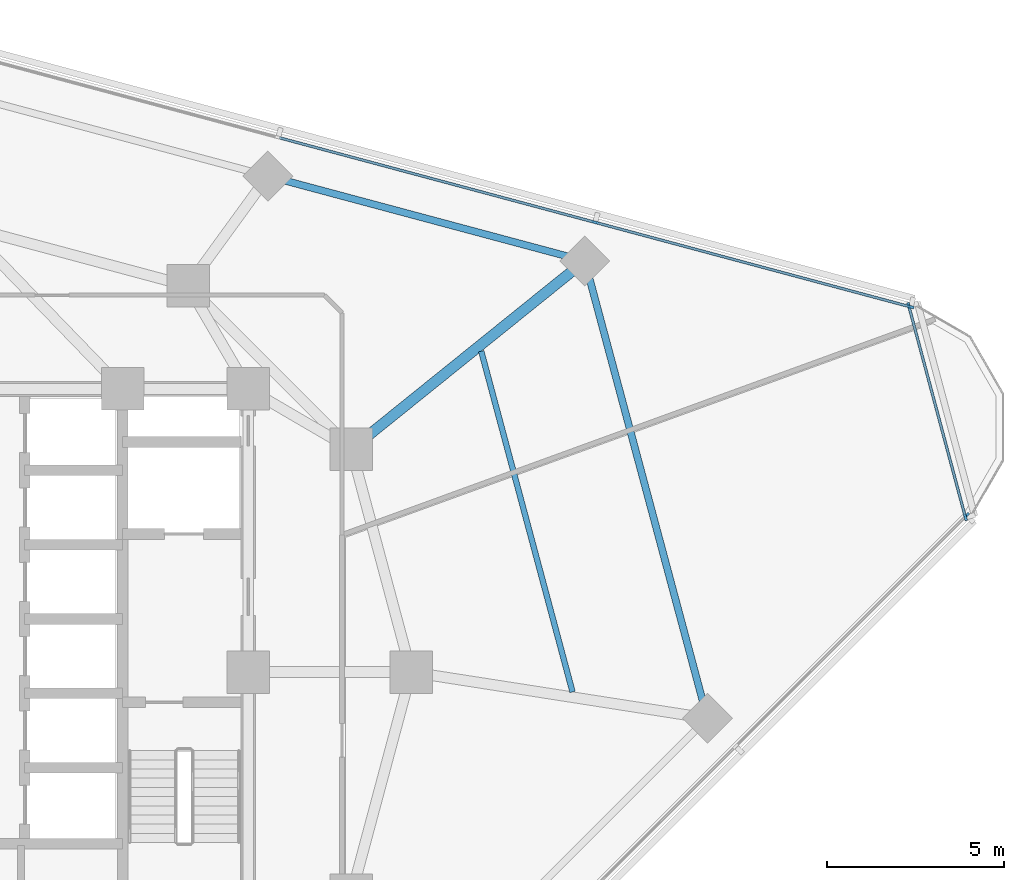
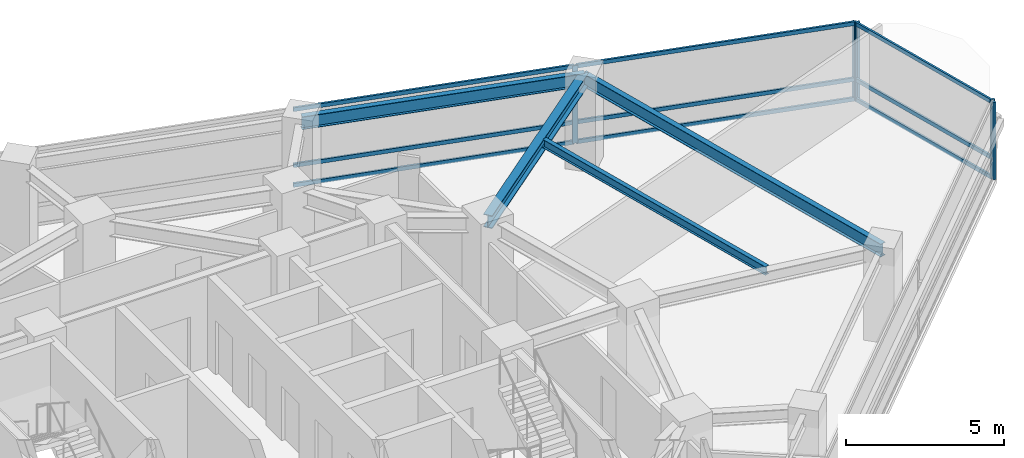
# One storey, part 5 of 13: 14 members, 4 beams, 3 elements without a shape of their own.
"""IFC4 building model written with IfcOpenShell, lengths in metres."""

from ifc_helpers import new_model, si_unit, direction, frame, origin, origin_2d, place, context, subcontext, project, spatial, rectangle, i_section, extrude, material, layer, layer_set, material_profile, profile_set, type_object, element, aggregate, save


model = new_model("IFC4")

# Units and contexts
model_context = context("Model", 3, precision=1e-05, world=origin(), true_north=direction((0.0, 1.0)))
body_context = subcontext(model_context, "Body", "Model", "MODEL_VIEW")
ifc_project = project(units=[si_unit("LENGTHUNIT", "METRE"), si_unit("AREAUNIT", "SQUARE_METRE"), si_unit("VOLUMEUNIT", "CUBIC_METRE"), si_unit("PLANEANGLEUNIT", "RADIAN"), si_unit("MASSUNIT", "GRAM", prefix="KILO")], contexts=[model_context])

# Site, building, storey
site_placement = place(None, origin())
site = spatial("IfcSite", under=ifc_project, at=site_placement, CompositionType="ELEMENT")
building_placement = place(site_placement, origin())
building = spatial("IfcBuilding", under=site, at=building_placement, Name="Terralouvre Media Tower", CompositionType="ELEMENT")
storey_placement = place(building_placement, frame((0.0, 0.0, 199.0)))
storey = spatial("IfcBuildingStorey", under=building, at=storey_placement, Name="L51", CompositionType="ELEMENT", Elevation=199.0)

# Beam
ifc_material_1 = material(Name="Structural steel S355J2", Category="steel")
ifc_material_profile_1 = material_profile(ifc_material_1, i_section(OverallWidth=0.159912109375, OverallDepth=0.330078125, WebThickness=0.007568359375, FlangeThickness=0.011474609375, at=origin_2d()), Name="IPE 330")
ifc_profile_set_1 = profile_set([ifc_material_profile_1], Name="Structural steel S355J2")
beam_type_1 = type_object("IfcBeamType", Name="Composite Floor Joist J-IPE330 (IPE 330)", PredefinedType="JOIST", material=ifc_profile_set_1)
beam_1_placement = place(storey_placement, frame((17.16357421875, -0.56103515625, 3.3349609375), z_axis=(-0.258827084055, 0.965923672222, 0.0), x_axis=(-0.965923672222, -0.258827084055, 0.0)))
element("IfcBeam", 1, at=beam_1_placement, inside=storey, type_object=beam_type_1, Name="L51 Framing Beam JT-L51-03", PredefinedType="JOIST", context=body_context, shape_type="SweptSolid", body=[
    extrude(i_section(OverallWidth=0.159912109375, OverallDepth=0.330078125, WebThickness=0.007568359375, FlangeThickness=0.011474609375, at=origin_2d()), origin(), (0.0, 0.0, 1.0), 9.96826171875),
])

# Curtain wall, members
ifc_material_2 = material(Name="Low-iron laminated double glazing with solar-control coating", Category="glass")
ifc_layer_1 = layer(ifc_material_2, 0.1650390625, Name="Production Studio Tower Curtain Wall CW-03")
ifc_layer_set_1 = layer_set([ifc_layer_1], Name="Low-iron laminated double glazing with solar-control coating")
curtain_wall_type_1 = type_object("IfcCurtainWallType", Name="Production Studio Tower Curtain Wall CW-03", PredefinedType="NOTDEFINED", material=ifc_layer_set_1)
curtain_wall_1_placement = place(storey_placement, origin())
curtain_wall_1 = element("IfcCurtainWall", 2, at=curtain_wall_1_placement, inside=storey, type_object=curtain_wall_type_1, Name="L51 Facade Curtain Wall F1", PredefinedType="NOTDEFINED")
ifc_material_3 = material(Name="Anodised extruded aluminium 6063-T6", Category="aluminium")
ifc_material_profile_2 = material_profile(ifc_material_3, rectangle(XDim=0.074951171875, YDim=0.14990234375, at=origin_2d()), Name="ALU 75x150")
ifc_profile_set_2 = profile_set([ifc_material_profile_2], Name="Anodised extruded aluminium 6063-T6")
member_type_1 = type_object("IfcMemberType", Name="Curtain-Wall Horizontal Transom TR-150", PredefinedType="USERDEFINED", material=ifc_profile_set_2)
member_1_placement = place(storey_placement, frame((26.687255859375, 10.32763671875, 0.03759765625), z_axis=(-0.965927230856, 0.25881380313, 0.0), x_axis=(-0.25881380313, -0.965927230856, 0.0)))
member_1 = element("IfcMember", 3, at=member_1_placement, type_object=member_type_1, Name="CW-03 transom 1.1", ObjectType="TRANSOM", PredefinedType="USERDEFINED", context=body_context, shape_type="SweptSolid", body=[
    extrude(rectangle(XDim=0.074951171875, YDim=0.14990234375, at=origin_2d()), origin(), (0.0, 0.0, 1.0), 9.159423828125),
])
member_2_placement = place(storey_placement, frame((26.687255859375, 10.32763671875, 0.800048828125), z_axis=(-0.965927230856, 0.25881380313, 0.0), x_axis=(-0.25881380313, -0.965927230856, 0.0)))
member_2 = element("IfcMember", 4, at=member_2_placement, type_object=member_type_1, Name="CW-03 transom 1.2", ObjectType="TRANSOM", PredefinedType="USERDEFINED", context=body_context, shape_type="SweptSolid", body=[
    extrude(rectangle(XDim=0.074951171875, YDim=0.14990234375, at=origin_2d()), origin(), (0.0, 0.0, 1.0), 9.159423828125),
])
member_3_placement = place(storey_placement, frame((26.687255859375, 10.32763671875, 2.96240234375), z_axis=(-0.965927230856, 0.25881380313, 0.0), x_axis=(-0.25881380313, -0.965927230856, 0.0)))
member_3 = element("IfcMember", 5, at=member_3_placement, type_object=member_type_1, Name="CW-03 transom 1.3", ObjectType="TRANSOM", PredefinedType="USERDEFINED", context=body_context, shape_type="SweptSolid", body=[
    extrude(rectangle(XDim=0.074951171875, YDim=0.14990234375, at=origin_2d()), origin(), (0.0, 0.0, 1.0), 9.159423828125),
])
member_4_placement = place(storey_placement, frame((17.767578125, 12.7177734375, 0.03759765625), z_axis=(-0.965926723605, 0.25881569625, 0.0), x_axis=(-0.25881569625, -0.965926723605, 0.0)))
member_4 = element("IfcMember", 6, at=member_4_placement, type_object=member_type_1, Name="CW-03 transom 2.1", ObjectType="TRANSOM", PredefinedType="USERDEFINED", context=body_context, shape_type="SweptSolid", body=[
    extrude(rectangle(XDim=0.074951171875, YDim=0.14990234375, at=origin_2d()), origin(), (0.0, 0.0, 1.0), 9.197265625),
])
member_5_placement = place(storey_placement, frame((17.767578125, 12.7177734375, 0.800048828125), z_axis=(-0.965926723605, 0.25881569625, 0.0), x_axis=(-0.25881569625, -0.965926723605, 0.0)))
member_5 = element("IfcMember", 7, at=member_5_placement, type_object=member_type_1, Name="CW-03 transom 2.2", ObjectType="TRANSOM", PredefinedType="USERDEFINED", context=body_context, shape_type="SweptSolid", body=[
    extrude(rectangle(XDim=0.074951171875, YDim=0.14990234375, at=origin_2d()), origin(), (0.0, 0.0, 1.0), 9.197265625),
])
member_6_placement = place(storey_placement, frame((17.767578125, 12.7177734375, 2.96240234375), z_axis=(-0.965926723605, 0.25881569625, 0.0), x_axis=(-0.25881569625, -0.965926723605, 0.0)))
member_6 = element("IfcMember", 8, at=member_6_placement, type_object=member_type_1, Name="CW-03 transom 2.3", ObjectType="TRANSOM", PredefinedType="USERDEFINED", context=body_context, shape_type="SweptSolid", body=[
    extrude(rectangle(XDim=0.074951171875, YDim=0.14990234375, at=origin_2d()), origin(), (0.0, 0.0, 1.0), 9.197265625),
])

ifc_material_4 = material(Name="Low-iron laminated double glazing with solar-control coating", Category="glass")
ifc_layer_2 = layer(ifc_material_4, 0.1650390625, Name="Rounded Wind-Corner Curved Glazing CW-04")
ifc_layer_set_2 = layer_set([ifc_layer_2], Name="Low-iron laminated double glazing with solar-control coating")
curtain_wall_type_2 = type_object("IfcCurtainWallType", Name="Rounded Wind-Corner Curved Glazing CW-04", PredefinedType="NOTDEFINED", material=ifc_layer_set_2)
curtain_wall_2_placement = place(storey_placement, origin())
curtain_wall_2 = element("IfcCurtainWall", 9, at=curtain_wall_2_placement, inside=storey, type_object=curtain_wall_type_2, Name="L51 Rounded Wind-Corner Curtain Wall C1", PredefinedType="NOTDEFINED")
member_7_placement = place(storey_placement, frame((28.259033203125, 4.404052734375, 0.03759765625), z_axis=(-0.25882448687, 0.965924368155, 0.0), x_axis=(-0.965924368155, -0.25882448687, 0.0)))
member_7 = element("IfcMember", 10, at=member_7_placement, type_object=member_type_1, Name="CW-04 transom 1.1", ObjectType="TRANSOM", PredefinedType="USERDEFINED", context=body_context, shape_type="SweptSolid", body=[
    extrude(rectangle(XDim=0.074951171875, YDim=0.14990234375, at=origin_2d()), origin(), (0.0, 0.0, 1.0), 6.119873046875),
])
member_8_placement = place(storey_placement, frame((28.259033203125, 4.404052734375, 0.800048828125), z_axis=(-0.25882448687, 0.965924368155, 0.0), x_axis=(-0.965924368155, -0.25882448687, 0.0)))
member_8 = element("IfcMember", 11, at=member_8_placement, type_object=member_type_1, Name="CW-04 transom 1.2", ObjectType="TRANSOM", PredefinedType="USERDEFINED", context=body_context, shape_type="SweptSolid", body=[
    extrude(rectangle(XDim=0.074951171875, YDim=0.14990234375, at=origin_2d()), origin(), (0.0, 0.0, 1.0), 6.119873046875),
])
member_9_placement = place(storey_placement, frame((28.259033203125, 4.404052734375, 2.96240234375), z_axis=(-0.25882448687, 0.965924368155, 0.0), x_axis=(-0.965924368155, -0.25882448687, 0.0)))
member_9 = element("IfcMember", 12, at=member_9_placement, type_object=member_type_1, Name="CW-04 transom 1.3", ObjectType="TRANSOM", PredefinedType="USERDEFINED", context=body_context, shape_type="SweptSolid", body=[
    extrude(rectangle(XDim=0.074951171875, YDim=0.14990234375, at=origin_2d()), origin(), (0.0, 0.0, 1.0), 6.119873046875),
])

# Curtain wall, member
curtain_wall_3_placement = place(storey_placement, origin())
curtain_wall_3 = element("IfcCurtainWall", 13, at=curtain_wall_3_placement, inside=storey, type_object=curtain_wall_type_1, Name="L51 Facade Curtain Wall F0", PredefinedType="NOTDEFINED")
ifc_material_5 = material(Name="Anodised extruded aluminium 6063-T6", Category="aluminium")
ifc_material_profile_3 = material_profile(ifc_material_5, rectangle(XDim=0.074951171875, YDim=0.179931640625, at=origin_2d()), Name="ALU 75x180")
ifc_profile_set_3 = profile_set([ifc_material_profile_3], Name="Anodised extruded aluminium 6063-T6")
member_type_2 = type_object("IfcMemberType", Name="Curtain-Wall Vertical Mullion ML-180", PredefinedType="MULLION", material=ifc_profile_set_3)
member_10_placement = place(storey_placement, frame((28.30224609375, 4.42626953125, 0.0), z_axis=(0.0, 0.0, 1.0), x_axis=(-0.707106781187, 0.707106781187, 0.0)))
member_10 = element("IfcMember", 14, at=member_10_placement, type_object=member_type_2, Name="CW-03 mullion 6", PredefinedType="MULLION", context=body_context, shape_type="SweptSolid", body=[
    extrude(rectangle(XDim=0.074951171875, YDim=0.179931640625, at=origin_2d()), origin(), (0.0, 0.0, 1.0), 3.0),
])
aggregate(curtain_wall_3, [member_10])

# Member
member_11_placement = place(storey_placement, frame((26.7236328125, 10.31787109375, 0.0), z_axis=(0.0, 0.0, 1.0), x_axis=(-0.25881903342, -0.96592582942, 0.0)))
member_11 = element("IfcMember", 15, at=member_11_placement, type_object=member_type_2, Name="CW-03 mullion 1", PredefinedType="MULLION", context=body_context, shape_type="SweptSolid", body=[
    extrude(rectangle(XDim=0.074951171875, YDim=0.179931640625, at=origin_2d()), origin(), (0.0, 0.0, 1.0), 3.0),
])

member_12_placement = place(storey_placement, frame((17.8037109375, 12.7080078125, 0.0), z_axis=(0.0, 0.0, 1.0), x_axis=(-0.25881903342, -0.96592582942, 0.0)))
member_12 = element("IfcMember", 16, at=member_12_placement, type_object=member_type_2, Name="CW-03 mullion 2", PredefinedType="MULLION", context=body_context, shape_type="SweptSolid", body=[
    extrude(rectangle(XDim=0.074951171875, YDim=0.179931640625, at=origin_2d()), origin(), (0.0, 0.0, 1.0), 3.0),
])

aggregate(curtain_wall_1, [member_11, member_12, member_1, member_2, member_3, member_4, member_5, member_6])

member_13_placement = place(storey_placement, frame((28.268798828125, 4.367919921875, 0.0), z_axis=(0.0, 0.0, 1.0), x_axis=(-0.965925911218, -0.258818728144, 0.0)))
member_13 = element("IfcMember", 17, at=member_13_placement, type_object=member_type_2, Name="CW-04 mullion 1", PredefinedType="MULLION", context=body_context, shape_type="SweptSolid", body=[
    extrude(rectangle(XDim=0.074951171875, YDim=0.179931640625, at=origin_2d()), origin(), (0.0, 0.0, 1.0), 3.0),
])

member_14_placement = place(storey_placement, frame((26.665283203125, 10.351806640625, 0.0), z_axis=(0.0, 0.0, 1.0), x_axis=(-0.965925911218, -0.258818728144, 0.0)))
member_14 = element("IfcMember", 18, at=member_14_placement, type_object=member_type_2, Name="CW-04 mullion 2", PredefinedType="MULLION", context=body_context, shape_type="SweptSolid", body=[
    extrude(rectangle(XDim=0.074951171875, YDim=0.179931640625, at=origin_2d()), origin(), (0.0, 0.0, 1.0), 3.0),
])

aggregate(curtain_wall_2, [member_13, member_14, member_7, member_8, member_9])

# Beams
ifc_material_6 = material(Name="Structural steel S355J2", Category="steel")
ifc_material_profile_4 = material_profile(ifc_material_6, i_section(OverallWidth=0.199951171875, OverallDepth=0.5, WebThickness=0.01025390625, FlangeThickness=0.01611328125, at=origin_2d()), Name="IPE 500")
ifc_profile_set_4 = profile_set([ifc_material_profile_4], Name="Structural steel S355J2")
beam_type_2 = type_object("IfcBeamType", Name="Perimeter Spandrel Beam SPB-500 (IPE 500)", PredefinedType="SPANDREL", material=ifc_profile_set_4)
beam_2_placement = place(storey_placement, frame((20.973388671875, -1.3046875, 3.25), z_axis=(-0.258815451972, 0.965926789058, 0.0), x_axis=(-0.965926789058, -0.258815451972, 0.0)))
element("IfcBeam", 19, at=beam_2_placement, inside=storey, type_object=beam_type_2, Name="L51 Framing Beam BM-L51-PR06", PredefinedType="SPANDREL", context=body_context, shape_type="SweptSolid", body=[
    extrude(i_section(OverallWidth=0.199951171875, OverallDepth=0.5, WebThickness=0.01025390625, FlangeThickness=0.01611328125, at=origin_2d()), origin(), (0.0, 0.0, 1.0), 13.376953125),
])
beam_3_placement = place(storey_placement, frame((17.51123046875, 11.616455078125, 3.25), z_axis=(-0.965922193685, 0.258832601786, 0.0), x_axis=(-0.258832601786, -0.965922193685, 0.0)))
element("IfcBeam", 20, at=beam_3_placement, inside=storey, type_object=beam_type_2, Name="L51 Framing Beam BM-L51-PR07", PredefinedType="SPANDREL", context=body_context, shape_type="SweptSolid", body=[
    extrude(i_section(OverallWidth=0.199951171875, OverallDepth=0.5, WebThickness=0.01025390625, FlangeThickness=0.01611328125, at=origin_2d()), origin(), (0.0, 0.0, 1.0), 9.27197265625),
])
ifc_material_7 = material(Name="Structural steel S355J2", Category="steel")
ifc_material_profile_5 = material_profile(ifc_material_7, i_section(OverallWidth=0.300048828125, OverallDepth=0.5, WebThickness=0.014404296875, FlangeThickness=0.028076171875, at=origin_2d()), Name="HEB 500")
ifc_profile_set_5 = profile_set([ifc_material_profile_5], Name="Structural steel S355J2")
beam_type_3 = type_object("IfcBeamType", Name="Primary Floor Girder B-HEB500 (HEB 500)", PredefinedType="BEAM", material=ifc_profile_set_5)
beam_4_placement = place(storey_placement, frame((10.911865234375, 6.300048828125, 3.25), z_axis=(0.778739443649, 0.62734749454, 0.0), x_axis=(-0.62734749454, 0.778739443649, 0.0)))
element("IfcBeam", 21, at=beam_4_placement, inside=storey, type_object=beam_type_3, Name="L51 Framing Beam BM-L51-RD07", PredefinedType="BEAM", context=body_context, shape_type="SweptSolid", body=[
    extrude(i_section(OverallWidth=0.300048828125, OverallDepth=0.5, WebThickness=0.014404296875, FlangeThickness=0.028076171875, at=origin_2d()), origin(), (0.0, 0.0, 1.0), 8.474365234375),
])

save(model, "model.ifc")
